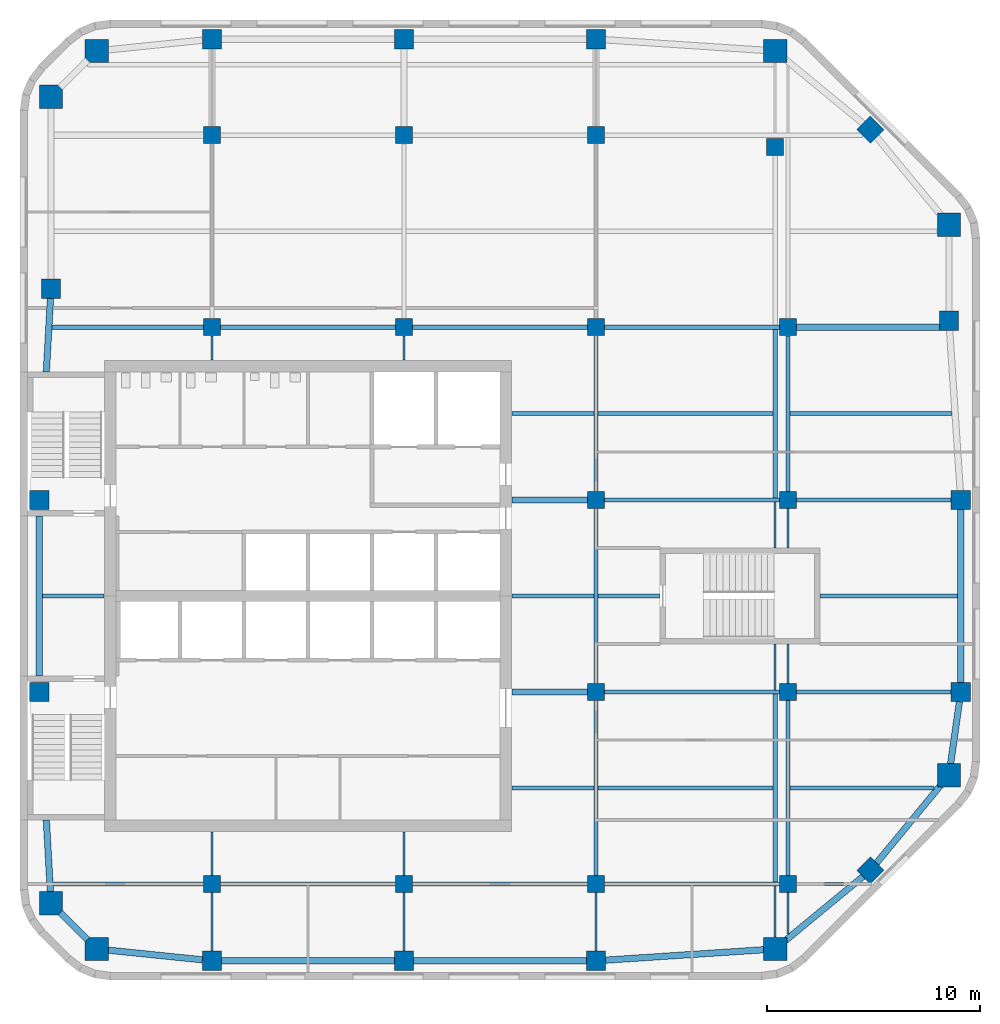
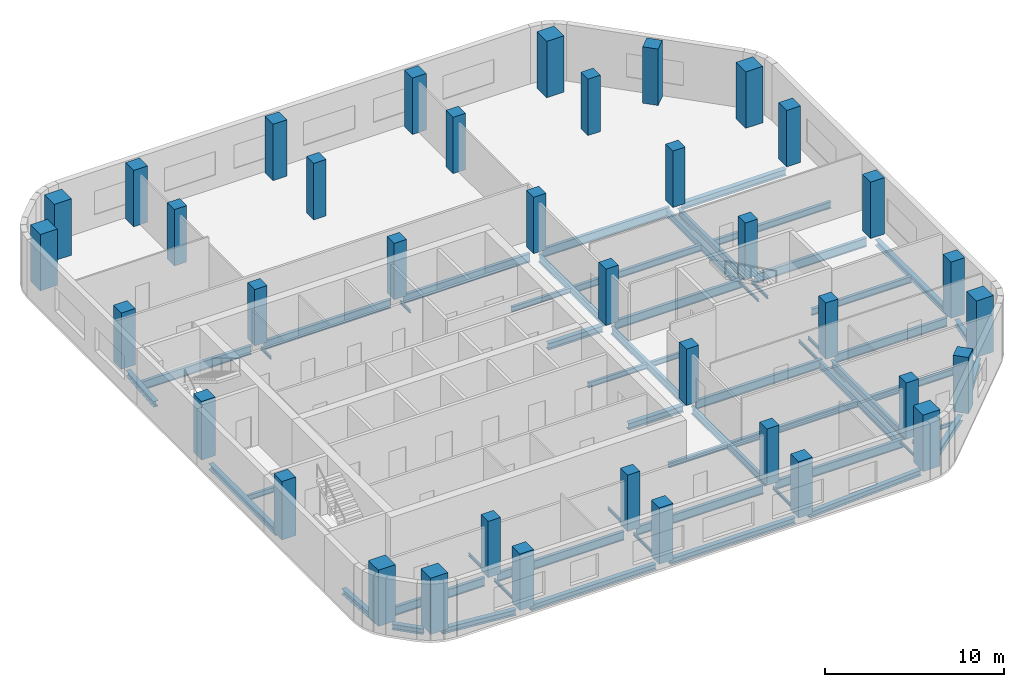
# One storey, part 1 of 7: 58 beams, 38 columns.
"""IFC4 building model written with IfcOpenShell, lengths in metres."""

import ifcopenshell
import ifcopenshell.guid

model = None  # the IFC model being written
_history = None  # IfcOwnerHistory: only IFC2X3 demands one
_inside = {}  # id of a spatial element -> (the spatial element, [elements in it])
_under = {}  # id of a project, library or spatial element -> (it, [spatial elements below it])
_declared = {}  # id of a project -> (the project, [libraries it declares])
_typed = {}  # id of a type object -> (the type object, [elements of that type])
_made_of = {}  # id of a material, layer set ... -> (it, [elements and type objects made of it])


def new_model(schema):
    """Start an empty IFC model of exactly this schema.

    Asked for "IFC4X3", IfcOpenShell would pick the latest addendum, in which some entities
    have other attributes; the version numbers below select the first issue.
    IFC2X3 requires an IfcOwnerHistory on every rooted entity: one is made here for all.
    """
    global model, _history
    if schema == "IFC4X3":
        model = ifcopenshell.file(schema_version=(4, 3, 0, 0))
    else:
        model = ifcopenshell.file(schema=schema)
    _inside.clear()
    _under.clear()
    _declared.clear()
    _typed.clear()
    _made_of.clear()
    _history = None
    if model.schema == "IFC2X3":
        org = make("IfcOrganization", Name="unknown")
        user = make(
            "IfcPersonAndOrganization",
            ThePerson=make("IfcPerson", FamilyName="unknown"),
            TheOrganization=org,
        )
        app = make(
            "IfcApplication",
            ApplicationDeveloper=org,
            Version="unknown",
            ApplicationFullName="unknown",
            ApplicationIdentifier="unknown",
        )
        _history = make(
            "IfcOwnerHistory",
            OwningUser=user,
            OwningApplication=app,
            ChangeAction="ADDED",
            CreationDate=0,
        )
    return model


def make(cls, **values):
    """One entity of the class cls with the attributes given. An attribute that is None is left unset."""
    return model.create_entity(
        cls, **{name: value for name, value in values.items() if value is not None}
    )


def rooted(cls, **values):
    """An entity with a GlobalId (a new one), such as an element, a storey or a relation."""
    return make(cls, GlobalId=ifcopenshell.guid.new(), OwnerHistory=_history, **values)


def si_unit(unit_type, name, prefix=None):
    """IfcSIUnit, for example si_unit("LENGTHUNIT", "METRE", prefix="MILLI")."""
    return make("IfcSIUnit", UnitType=unit_type, Prefix=prefix, Name=name)


def assignment(units):
    """IfcUnitAssignment: the units of a project."""
    return None if units is None else make("IfcUnitAssignment", Units=units)


def point(xyz):
    """IfcCartesianPoint."""
    return None if xyz is None else make("IfcCartesianPoint", Coordinates=xyz)


def direction(xyz):
    """IfcDirection."""
    return None if xyz is None else make("IfcDirection", DirectionRatios=xyz)


def frame(location, z_axis=None, x_axis=None):
    """IfcAxis2Placement3D, a coordinate frame: its origin and axes. An axis left out is left unset."""
    return make(
        "IfcAxis2Placement3D",
        Location=point(location),
        Axis=direction(z_axis),
        RefDirection=direction(x_axis),
    )


def frame_2d(location, x_axis=None):
    """IfcAxis2Placement2D, a coordinate frame in the plane: its origin and x axis."""
    return make(
        "IfcAxis2Placement2D", Location=point(location), RefDirection=direction(x_axis)
    )


def origin():
    """The frame at (0, 0, 0) with its axes left unset."""
    return frame((0.0, 0.0, 0.0))


def origin_2d():
    """The frame at (0, 0) in the plane with its x axis left unset."""
    return frame_2d((0.0, 0.0))


def place(relative_to, where):
    """IfcLocalPlacement: puts the frame where relative to a parent placement (None: the world)."""
    return make(
        "IfcLocalPlacement", PlacementRelTo=relative_to, RelativePlacement=where
    )


def context(
    kind, dimensions, precision=None, world=None, true_north=None, identifier=None
):
    """IfcGeometricRepresentationContext, for example the 3D "Model" context."""
    return make(
        "IfcGeometricRepresentationContext",
        ContextIdentifier=identifier,
        ContextType=kind,
        CoordinateSpaceDimension=dimensions,
        Precision=precision,
        WorldCoordinateSystem=world,
        TrueNorth=true_north,
    )


def subcontext(parent, identifier, kind, view, scale=None):
    """IfcGeometricRepresentationSubContext, for example "Body" below "Model"."""
    return make(
        "IfcGeometricRepresentationSubContext",
        ContextIdentifier=identifier,
        ContextType=kind,
        ParentContext=parent,
        TargetScale=scale,
        TargetView=view,
    )


def project(units=None, contexts=None):
    """IfcProject with its units and contexts."""
    return rooted(
        "IfcProject",
        Name="project",
        RepresentationContexts=contexts,
        UnitsInContext=assignment(units),
    )


def spatial(cls, under=None, at=None, **own):
    """A site, building, storey or space (cls), placed at a placement, below another one or the project."""
    s = rooted(cls, ObjectPlacement=at, **own)
    if under is not None:
        _under.setdefault(under.id(), (under, []))[1].append(s)
    return s


def profile(cls, at=None, kind="AREA", **sizes):
    """A parametric profile (cls). Its sizes go by their IFC names, for example OverallWidth=200.0."""
    return make(cls, ProfileType=kind, Position=at, **sizes)


def rectangle(**sizes):
    """IfcRectangleProfileDef."""
    return profile("IfcRectangleProfileDef", **sizes)


def i_section(**sizes):
    """IfcIShapeProfileDef."""
    return profile("IfcIShapeProfileDef", **sizes)


def extrude(swept, where, along, depth):
    """IfcExtrudedAreaSolid: the profile swept, set in the frame where, extruded along a direction by depth."""
    return make(
        "IfcExtrudedAreaSolid",
        SweptArea=swept,
        Position=where,
        ExtrudedDirection=direction(along),
        Depth=depth,
    )


def shape(context_of_items, identifier, shape_type, items):
    """IfcShapeRepresentation: the items that make up one representation, for example the "Body"."""
    return make(
        "IfcShapeRepresentation",
        ContextOfItems=context_of_items,
        RepresentationIdentifier=identifier,
        RepresentationType=shape_type,
        Items=items,
    )


def material(Name=None, Category=None):
    """IfcMaterial."""
    return make("IfcMaterial", Name=Name, Category=Category)


def material_profile(
    of_material, cross_section, Name=None, Category=None, Priority=None
):
    """IfcMaterialProfile: a cross section and its material."""
    return make(
        "IfcMaterialProfile",
        Name=Name,
        Material=of_material,
        Profile=cross_section,
        Priority=Priority,
        Category=Category,
    )


def profile_set(profiles, Name=None, composite=None):
    """IfcMaterialProfileSet."""
    return make(
        "IfcMaterialProfileSet",
        Name=Name,
        MaterialProfiles=profiles,
        CompositeProfile=composite,
    )


def made_of(thing, what):
    """Note that an element or type object is made of a material, layer set ...; save() writes the relation."""
    if what is not None:
        _made_of.setdefault(what.id(), (what, []))[1].append(thing)
    return thing


def type_object(cls, material=None, **own):
    """A type object (cls), such as IfcWallType, which elements share."""
    return made_of(rooted(cls, **own), material)


def element(
    cls,
    number,
    at=None,
    inside=None,
    cuts=None,
    type_object=None,
    material=None,
    context=None,
    identifier="Body",
    shape_type=None,
    held_by="IfcProductDefinitionShape",
    body=None,
    shapes=None,
    **own,
):
    """One element of the class cls, such as IfcWall. Its Tag is "e" and its number.

    at: its placement. inside: the storey or other place that contains it. cuts: it is an
    opening in that element (IfcRelVoidsElement). A single representation is given by context,
    identifier, shape_type and body (its items); several are given by shapes. held_by: the class
    of the entity that holds the representations. save() writes the other relations.
    """
    e = rooted(cls, Tag="e%d" % number, ObjectPlacement=at, **own)
    if body is not None:
        shapes = [shape(context, identifier, shape_type, body)]
    if shapes is not None:
        e.Representation = make(held_by, Representations=shapes)
    if inside is not None:
        _inside.setdefault(inside.id(), (inside, []))[1].append(e)
    if cuts is not None:
        rooted(
            "IfcRelVoidsElement", RelatingBuildingElement=cuts, RelatedOpeningElement=e
        )
    if type_object is not None:
        _typed.setdefault(type_object.id(), (type_object, []))[1].append(e)
    return made_of(e, material)


def aggregate(whole, parts):
    """IfcRelAggregates: a whole, such as a stair, and the parts it consists of."""
    return rooted("IfcRelAggregates", RelatingObject=whole, RelatedObjects=parts)


def save(model, path):
    """Write the relations noted so far, then the file.

    IfcRelAggregates (storeys below a building ...), IfcRelContainedInSpatialStructure (elements
    in a storey), IfcRelDefinesByType, IfcRelAssociatesMaterial and IfcRelDeclares: one each for
    every whole, place, type object, material and project.
    """
    for whole, parts in _under.values():
        aggregate(whole, parts)
    for where, things in _inside.values():
        rooted(
            "IfcRelContainedInSpatialStructure",
            RelatedElements=things,
            RelatingStructure=where,
        )
    for kind, things in _typed.values():
        rooted("IfcRelDefinesByType", RelatedObjects=things, RelatingType=kind)
    for what, things in _made_of.values():
        rooted("IfcRelAssociatesMaterial", RelatedObjects=things, RelatingMaterial=what)
    for by, libraries in _declared.values():
        rooted("IfcRelDeclares", RelatingContext=by, RelatedDefinitions=libraries)
    model.write(path)


model = new_model("IFC4")

# Units and contexts
model_context = context("Model", 3, precision=1e-05, world=origin(), true_north=direction((0.0, 1.0)))
body_context = subcontext(model_context, "Body", "Model", "MODEL_VIEW")
ifc_project = project(units=[si_unit("LENGTHUNIT", "METRE"), si_unit("AREAUNIT", "SQUARE_METRE"), si_unit("VOLUMEUNIT", "CUBIC_METRE"), si_unit("PLANEANGLEUNIT", "RADIAN"), si_unit("MASSUNIT", "GRAM", prefix="KILO")], contexts=[model_context])

# Site, building, storey
site_placement = place(None, origin())
site = spatial("IfcSite", under=ifc_project, at=site_placement, CompositionType="ELEMENT")
building_placement = place(site_placement, origin())
building = spatial("IfcBuilding", under=site, at=building_placement, Name="Cinnabar Reach Civic Tower", CompositionType="ELEMENT")
storey_placement = place(building_placement, frame((0.0, 0.0, 234.0)))
storey = spatial("IfcBuildingStorey", under=building, at=storey_placement, Name="L56", CompositionType="ELEMENT", Elevation=234.0)

# Columns
ifc_material_1 = material(Name="Concrete C80", Category="concrete")
ifc_material_profile_1 = material_profile(ifc_material_1, rectangle(XDim=1.1, YDim=1.1, at=origin_2d()), Name="RC1100")
ifc_profile_set_1 = profile_set([ifc_material_profile_1], Name="Concrete C80")
column_type_1 = type_object("IfcColumnType", Name="RC1100 column R 240", PredefinedType="COLUMN", material=ifc_profile_set_1)
for number, where, z_axis, x_axis, name in (
    (1, (3.6019, 14.9531, 0.0), (0.0, 0.0, 1.0), (1.0, 0.0, 0.0), "Column T1-Z4-CC0"),
    (2, (35.3981, 14.9531, 0.0), (0.0, 0.0, 1.0), (1.0, 0.0, 0.0), "Column T1-Z4-CC1"),
    (3, (43.5469, 23.1019, 0.0), (0.0, 0.0, 1.0), (1.0, 0.0, 0.0), "Column T1-Z4-CC2"),
    (4, (43.5469, 48.8981, 0.0), (0.0, 0.0, 1.0), (1.0, 0.0, 0.0), "Column T1-Z4-CC3"),
    (5, (35.3981, 57.0469, 0.0), (0.0, 0.0, 1.0), (1.0, 0.0, 0.0), "Column T1-Z4-CC4"),
    (6, (3.6019, 57.0469, 0.0), (0.0, 0.0, 1.0), (1.0, 0.0, 0.0), "Column T1-Z4-CC5"),
    (7, (1.4531, 54.8981, 0.0), (0.0, 0.0, 1.0), (1.0, 0.0, 0.0), "Column T1-Z4-CC6"),
    (8, (1.4531, 17.1019, 0.0), (0.0, 0.0, 1.0), (1.0, 0.0, 0.0), "Column T1-Z4-CC7"),
):
    element("IfcColumn", number, at=place(storey_placement, frame(where, z_axis=z_axis, x_axis=x_axis)), inside=storey, type_object=column_type_1, Name=name, PredefinedType="COLUMN", context=body_context, shape_type="SweptSolid", body=[
        extrude(rectangle(XDim=1.1, YDim=1.1, at=origin_2d()), origin(), (0.0, 0.0, 1.0), 3.85),
    ])
ifc_material_2 = material(Name="Concrete C60", Category="concrete")
ifc_material_profile_2 = material_profile(ifc_material_2, rectangle(XDim=0.8, YDim=0.8, at=origin_2d()), Name="RC800")
ifc_profile_set_2 = profile_set([ifc_material_profile_2], Name="Concrete C60")
column_type_2 = type_object("IfcColumnType", Name="RC800 column R 240", PredefinedType="COLUMN", material=ifc_profile_set_2)
for number, where, z_axis, x_axis, name in (
    (9, (9.0, 18.0, 0.0), (0.0, 0.0, 1.0), (1.0, 0.0, 0.0), "Column T1-Z4-I9_18"),
    (10, (9.0, 44.1, 0.0), (0.0, 0.0, 1.0), (1.0, 0.0, 0.0), "Column T1-Z4-I9_45"),
    (11, (9.0, 53.1, 0.0), (0.0, 0.0, 1.0), (1.0, 0.0, 0.0), "Column T1-Z4-I9_54"),
    (12, (18.0, 18.0, 0.0), (0.0, 0.0, 1.0), (1.0, 0.0, 0.0), "Column T1-Z4-I18_18"),
    (13, (18.0, 44.1, 0.0), (0.0, 0.0, 1.0), (1.0, 0.0, 0.0), "Column T1-Z4-I18_45"),
    (14, (18.0, 53.1, 0.0), (0.0, 0.0, 1.0), (1.0, 0.0, 0.0), "Column T1-Z4-I18_54"),
    (15, (27.0, 18.0, 0.0), (0.0, 0.0, 1.0), (1.0, 0.0, 0.0), "Column T1-Z4-I27_18"),
    (16, (27.0, 27.0, 0.0), (0.0, 0.0, 1.0), (1.0, 0.0, 0.0), "Column T1-Z4-I27_27"),
    (17, (27.0, 36.0, 0.0), (0.0, 0.0, 1.0), (1.0, 0.0, 0.0), "Column T1-Z4-I27_36"),
    (18, (27.0, 44.1, 0.0), (0.0, 0.0, 1.0), (1.0, 0.0, 0.0), "Column T1-Z4-I27_45"),
    (19, (27.0, 53.1, 0.0), (0.0, 0.0, 1.0), (1.0, 0.0, 0.0), "Column T1-Z4-I27_54"),
    (20, (36.0, 18.0, 0.0), (0.0, 0.0, 1.0), (1.0, 0.0, 0.0), "Column T1-Z4-I36_18"),
    (21, (36.0, 27.0, 0.0), (0.0, 0.0, 1.0), (1.0, 0.0, 0.0), "Column T1-Z4-I36_27"),
    (22, (36.0, 36.0, 0.0), (0.0, 0.0, 1.0), (1.0, 0.0, 0.0), "Column T1-Z4-I36_36"),
    (23, (36.0, 44.1, 0.0), (0.0, 0.0, 1.0), (1.0, 0.0, 0.0), "Column T1-Z4-I36_45"),
    (24, (35.3981, 52.5469, 0.0), (0.0, 0.0, 1.0), (1.0, 0.0, 0.0), "Column T1-Z4-I36_54"),
):
    element("IfcColumn", number, at=place(storey_placement, frame(where, z_axis=z_axis, x_axis=x_axis)), inside=storey, type_object=column_type_2, Name=name, PredefinedType="COLUMN", context=body_context, shape_type="SweptSolid", body=[
        extrude(rectangle(XDim=0.8, YDim=0.8, at=origin_2d()), origin(), (0.0, 0.0, 1.0), 3.85),
    ])
ifc_material_3 = material(Name="Concrete C70", Category="concrete")
ifc_material_profile_3 = material_profile(ifc_material_3, rectangle(XDim=0.9, YDim=0.9, at=origin_2d()), Name="RC900")
ifc_profile_set_3 = profile_set([ifc_material_profile_3], Name="Concrete C70")
column_type_3 = type_object("IfcColumnType", Name="RC900 column R 240", PredefinedType="COLUMN", material=ifc_profile_set_3)
for number, where, z_axis, x_axis, name in (
    (25, (9.0, 14.4, 0.0), (0.0, 0.0, 1.0), (1.0, 0.0, 0.0), "Column T1-Z4-F0-1"),
    (26, (18.0, 14.4, 0.0), (0.0, 0.0, 1.0), (1.0, 0.0, 0.0), "Column T1-Z4-F0-2"),
    (27, (27.0, 14.4, 0.0), (0.0, 0.0, 1.0), (1.0, 0.0, 0.0), "Column T1-Z4-F0-3"),
    (28, (39.8636, 18.6364, 0.0), (0.0, 0.0, 1.0), (0.707106781187, 0.707106781187, 0.0), "Column T1-Z4-F1-M"),
    (29, (44.1, 27.0, 0.0), (0.0, 0.0, 1.0), (1.0, 0.0, 0.0), "Column T1-Z4-F2-3"),
    (30, (44.1, 36.0, 0.0), (0.0, 0.0, 1.0), (1.0, 0.0, 0.0), "Column T1-Z4-F2-4"),
    (31, (43.5469, 44.3981, 0.0), (0.0, 0.0, 1.0), (1.0, 0.0, 0.0), "Column T1-Z4-F2-5"),
    (32, (39.8636, 53.3636, 0.0), (0.0, 0.0, 1.0), (0.707106781187, 0.707106781187, 0.0), "Column T1-Z4-F3-M"),
    (33, (9.0, 57.6, 0.0), (0.0, 0.0, 1.0), (1.0, 0.0, 0.0), "Column T1-Z4-F4-1"),
    (34, (18.0, 57.6, 0.0), (0.0, 0.0, 1.0), (1.0, 0.0, 0.0), "Column T1-Z4-F4-2"),
    (35, (27.0, 57.6, 0.0), (0.0, 0.0, 1.0), (1.0, 0.0, 0.0), "Column T1-Z4-F4-3"),
):
    element("IfcColumn", number, at=place(storey_placement, frame(where, z_axis=z_axis, x_axis=x_axis)), inside=storey, type_object=column_type_3, Name=name, PredefinedType="COLUMN", context=body_context, shape_type="SweptSolid", body=[
        extrude(rectangle(XDim=0.9, YDim=0.9, at=origin_2d()), origin(), (0.0, 0.0, 1.0), 3.85),
    ])
for number, where, z_axis, x_axis, name in (
    (36, (0.9, 27.0, 0.0), (0.0, 0.0, 1.0), (1.0, 0.0, 0.0), "Column T1-Z4-F6-3"),
    (37, (0.9, 36.0, 0.0), (0.0, 0.0, 1.0), (1.0, 0.0, 0.0), "Column T1-Z4-F6-4"),
):
    element("IfcColumn", number, at=place(storey_placement, frame(where, z_axis=z_axis, x_axis=x_axis)), inside=storey, type_object=column_type_3, Name=name, PredefinedType="COLUMN", context=body_context, shape_type="SweptSolid", body=[
        extrude(rectangle(XDim=0.9, YDim=0.9, at=origin_2d()), origin(), (0.0, 0.0, 1.0), 4.0),
    ])
column_placement = place(storey_placement, frame((1.4531, 45.8981, 0.0), z_axis=(0.0, 0.0, 1.0), x_axis=(1.0, 0.0, 0.0)))
element("IfcColumn", 38, at=column_placement, inside=storey, type_object=column_type_3, Name="Column T1-Z4-F6-5", PredefinedType="COLUMN", context=body_context, shape_type="SweptSolid", body=[
    extrude(rectangle(XDim=0.9, YDim=0.9, at=origin_2d()), origin(), (0.0, 0.0, 1.0), 3.85),
])

# Beams
ifc_material_4 = material(Name="Steel Q355B", Category="steel")
ifc_material_profile_4 = material_profile(ifc_material_4, i_section(OverallWidth=0.3, OverallDepth=0.39, WebThickness=0.01, FlangeThickness=0.016, FilletRadius=0.013, at=origin_2d()), Name="HM390x300x10x16")
ifc_profile_set_4 = profile_set([ifc_material_profile_4], Name="Steel Q355B")
beam_type_1 = type_object("IfcBeamType", Name="HM390x300x10x16 beam R 180", PredefinedType="BEAM", material=ifc_profile_set_4)
beam_1_placement = place(storey_placement, frame((4.0339, 14.9088, -0.345), z_axis=(0.994792272495, -0.101923179821, 0.0), x_axis=(0.101923179821, 0.994792272495, 0.0)))
element("IfcBeam", 39, at=beam_1_placement, inside=storey, type_object=beam_type_1, Name="Edge beam T1 L56 1", PredefinedType="BEAM", context=body_context, shape_type="SweptSolid", body=[
    extrude(i_section(OverallWidth=0.3, OverallDepth=0.39, WebThickness=0.01, FlangeThickness=0.016, FilletRadius=0.013, at=origin_2d()), origin(), (0.0, 0.0, 1.0), 4.5377),
])
for number, where, z_axis, x_axis, name in (
    (40, (9.452, 14.4, -0.345), (1.0, 0.0, 0.0), (0.0, 1.0, 0.0), "Edge beam T1 L56 2"),
    (41, (18.452, 14.4, -0.345), (1.0, 0.0, 0.0), (0.0, 1.0, 0.0), "Edge beam T1 L56 3"),
):
    element("IfcBeam", number, at=place(storey_placement, frame(where, z_axis=z_axis, x_axis=x_axis)), inside=storey, type_object=beam_type_1, Name=name, PredefinedType="BEAM", context=body_context, shape_type="SweptSolid", body=[
        extrude(i_section(OverallWidth=0.3, OverallDepth=0.39, WebThickness=0.01, FlangeThickness=0.016, FilletRadius=0.013, at=origin_2d()), origin(), (0.0, 0.0, 1.0), 8.096),
    ])
beam_2_placement = place(storey_placement, frame((27.452, 14.4298, -0.345), z_axis=(0.99783894477, 0.065707231721, 0.0), x_axis=(-0.065707231721, 0.99783894477, 0.0)))
element("IfcBeam", 42, at=beam_2_placement, inside=storey, type_object=beam_type_1, Name="Edge beam T1 L56 4", PredefinedType="BEAM", context=body_context, shape_type="SweptSolid", body=[
    extrude(i_section(OverallWidth=0.3, OverallDepth=0.39, WebThickness=0.01, FlangeThickness=0.016, FilletRadius=0.013, at=origin_2d()), origin(), (0.0, 0.0, 1.0), 7.5304),
])
for number, where, z_axis, x_axis, name in (
    (43, (35.8301, 15.3094, -0.345), (0.771434448755, 0.63630880182, 0.0), (-0.63630880182, 0.771434448755, 0.0), "Edge beam T1 L56 5"),
    (44, (40.1142, 18.9402, -0.345), (0.63630880182, 0.771434448755, 0.0), (-0.771434448755, 0.63630880182, 0.0), "Edge beam T1 L56 6"),
):
    element("IfcBeam", number, at=place(storey_placement, frame(where, z_axis=z_axis, x_axis=x_axis)), inside=storey, type_object=beam_type_1, Name=name, PredefinedType="BEAM", context=body_context, shape_type="SweptSolid", body=[
        extrude(i_section(OverallWidth=0.3, OverallDepth=0.39, WebThickness=0.01, FlangeThickness=0.016, FilletRadius=0.013, at=origin_2d()), origin(), (0.0, 0.0, 1.0), 4.8348),
    ])
beam_3_placement = place(storey_placement, frame((43.6082, 23.5339, -0.345), z_axis=(0.140492342965, 0.990081765092, 0.0), x_axis=(-0.990081765092, 0.140492342965, 0.0)))
element("IfcBeam", 45, at=beam_3_placement, inside=storey, type_object=beam_type_1, Name="Edge beam T1 L56 7", PredefinedType="BEAM", context=body_context, shape_type="SweptSolid", body=[
    extrude(i_section(OverallWidth=0.3, OverallDepth=0.39, WebThickness=0.01, FlangeThickness=0.016, FilletRadius=0.013, at=origin_2d()), origin(), (0.0, 0.0, 1.0), 3.0443),
])
beam_4_placement = place(storey_placement, frame((44.1, 27.452, -0.345), z_axis=(0.0, 1.0, 0.0), x_axis=(-1.0, 0.0, 0.0)))
element("IfcBeam", 46, at=beam_4_placement, inside=storey, type_object=beam_type_1, Name="Edge beam T1 L56 8", PredefinedType="BEAM", context=body_context, shape_type="SweptSolid", body=[
    extrude(i_section(OverallWidth=0.3, OverallDepth=0.39, WebThickness=0.01, FlangeThickness=0.016, FilletRadius=0.013, at=origin_2d()), origin(), (0.0, 0.0, 1.0), 8.096),
])
beam_5_placement = place(storey_placement, frame((1.4278, 45.4461, -0.345), z_axis=(-0.0557766862, -0.998443268932, 0.0), x_axis=(0.998443268932, -0.0557766862, 0.0)))
element("IfcBeam", 47, at=beam_5_placement, inside=storey, type_object=beam_type_1, Name="Edge beam T1 L56 19", PredefinedType="BEAM", context=body_context, shape_type="SweptSolid", body=[
    extrude(i_section(OverallWidth=0.3, OverallDepth=0.39, WebThickness=0.01, FlangeThickness=0.016, FilletRadius=0.013, at=origin_2d()), origin(), (0.0, 0.0, 1.0), 3.4495),
])
beam_6_placement = place(storey_placement, frame((0.9, 35.248, -0.345), z_axis=(0.0, -1.0, 0.0), x_axis=(1.0, 0.0, 0.0)))
element("IfcBeam", 48, at=beam_6_placement, inside=storey, type_object=beam_type_1, Name="Edge beam T1 L56 20", PredefinedType="BEAM", context=body_context, shape_type="SweptSolid", body=[
    extrude(i_section(OverallWidth=0.3, OverallDepth=0.39, WebThickness=0.01, FlangeThickness=0.016, FilletRadius=0.013, at=origin_2d()), origin(), (0.0, 0.0, 1.0), 7.496),
])
beam_7_placement = place(storey_placement, frame((1.2354, 20.998, -0.345), z_axis=(0.05580045603, -0.998441940779, 0.0), x_axis=(0.998441940779, 0.05580045603, 0.0)))
element("IfcBeam", 49, at=beam_7_placement, inside=storey, type_object=beam_type_1, Name="Edge beam T1 L56 21", PredefinedType="BEAM", context=body_context, shape_type="SweptSolid", body=[
    extrude(i_section(OverallWidth=0.3, OverallDepth=0.39, WebThickness=0.01, FlangeThickness=0.016, FilletRadius=0.013, at=origin_2d()), origin(), (0.0, 0.0, 1.0), 3.4695),
])
beam_8_placement = place(storey_placement, frame((1.8851, 16.6699, -0.345), z_axis=(0.707106781187, -0.707106781187, 0.0), x_axis=(0.707106781187, 0.707106781187, 0.0)))
element("IfcBeam", 50, at=beam_8_placement, inside=storey, type_object=beam_type_1, Name="Edge beam T1 L56 22", PredefinedType="BEAM", context=body_context, shape_type="SweptSolid", body=[
    extrude(i_section(OverallWidth=0.3, OverallDepth=0.39, WebThickness=0.01, FlangeThickness=0.016, FilletRadius=0.013, at=origin_2d()), origin(), (0.0, 0.0, 1.0), 1.817),
])
ifc_material_profile_5 = material_profile(ifc_material_4, i_section(OverallWidth=0.3, OverallDepth=0.44, WebThickness=0.011, FlangeThickness=0.018, FilletRadius=0.016, at=origin_2d()), Name="HM440x300x11x18")
ifc_profile_set_5 = profile_set([ifc_material_profile_5], Name="Steel Q355B")
beam_type_2 = type_object("IfcBeamType", Name="HM440x300x11x18 beam R 180", PredefinedType="BEAM", material=ifc_profile_set_5)
for number, where, z_axis, x_axis, name in (
    (51, (23.052, 27.0, -0.37), (1.0, 0.0, 0.0), (0.0, 1.0, 0.0), "Girder T1 L56 6"),
    (52, (23.052, 36.0, -0.37), (1.0, 0.0, 0.0), (0.0, 1.0, 0.0), "Girder T1 L56 9"),
):
    element("IfcBeam", number, at=place(storey_placement, frame(where, z_axis=z_axis, x_axis=x_axis)), inside=storey, type_object=beam_type_2, Name=name, PredefinedType="BEAM", context=body_context, shape_type="SweptSolid", body=[
        extrude(i_section(OverallWidth=0.3, OverallDepth=0.44, WebThickness=0.011, FlangeThickness=0.018, FilletRadius=0.016, at=origin_2d()), origin(), (0.0, 0.0, 1.0), 3.546),
    ])
beam_9_placement = place(storey_placement, frame((36.402, 44.1, -0.37), z_axis=(1.0, 0.0, 0.0), x_axis=(0.0, 1.0, 0.0)))
element("IfcBeam", 53, at=beam_9_placement, inside=storey, type_object=beam_type_2, Name="Girder T1 L56 16", PredefinedType="BEAM", context=body_context, shape_type="SweptSolid", body=[
    extrude(i_section(OverallWidth=0.3, OverallDepth=0.44, WebThickness=0.011, FlangeThickness=0.018, FilletRadius=0.016, at=origin_2d()), origin(), (0.0, 0.0, 1.0), 6.6929),
])
ifc_material_profile_6 = material_profile(ifc_material_4, i_section(OverallWidth=0.099, OverallDepth=0.198, WebThickness=0.0045, FlangeThickness=0.007, FilletRadius=0.013, at=origin_2d()), Name="HN200x100x5.5x8")
ifc_profile_set_6 = profile_set([ifc_material_profile_6], Name="Steel Q355B")
beam_type_3 = type_object("IfcBeamType", Name="HN200x100x5.5x8 beam R 180", PredefinedType="BEAM", material=ifc_profile_set_6)
beam_10_placement = place(storey_placement, frame((9.0, 14.852, -0.249), z_axis=(0.0, 1.0, 0.0), x_axis=(-1.0, 0.0, 0.0)))
element("IfcBeam", 54, at=beam_10_placement, inside=storey, type_object=beam_type_3, Name="Girder T1 L56 1", PredefinedType="BEAM", context=body_context, shape_type="SweptSolid", body=[
    extrude(i_section(OverallWidth=0.099, OverallDepth=0.198, WebThickness=0.0045, FlangeThickness=0.007, FilletRadius=0.013, at=origin_2d()), origin(), (0.0, 0.0, 1.0), 2.746),
])
beam_11_placement = place(storey_placement, frame((9.0, 18.402, -0.249), z_axis=(0.0, 1.0, 0.0), x_axis=(-1.0, 0.0, 0.0)))
element("IfcBeam", 55, at=beam_11_placement, inside=storey, type_object=beam_type_3, Name="Girder T1 L56 2", PredefinedType="BEAM", context=body_context, shape_type="SweptSolid", body=[
    extrude(i_section(OverallWidth=0.099, OverallDepth=0.198, WebThickness=0.0045, FlangeThickness=0.007, FilletRadius=0.013, at=origin_2d()), origin(), (0.0, 0.0, 1.0), 2.046),
])
beam_12_placement = place(storey_placement, frame((9.0, 42.552, -0.249), z_axis=(0.0, 1.0, 0.0), x_axis=(-1.0, 0.0, 0.0)))
element("IfcBeam", 56, at=beam_12_placement, inside=storey, type_object=beam_type_3, Name="Girder T1 L56 3", PredefinedType="BEAM", context=body_context, shape_type="SweptSolid", body=[
    extrude(i_section(OverallWidth=0.099, OverallDepth=0.198, WebThickness=0.0045, FlangeThickness=0.007, FilletRadius=0.013, at=origin_2d()), origin(), (0.0, 0.0, 1.0), 1.146),
])
beam_13_placement = place(storey_placement, frame((18.0, 14.852, -0.249), z_axis=(0.0, 1.0, 0.0), x_axis=(-1.0, 0.0, 0.0)))
element("IfcBeam", 57, at=beam_13_placement, inside=storey, type_object=beam_type_3, Name="Girder T1 L56 6", PredefinedType="BEAM", context=body_context, shape_type="SweptSolid", body=[
    extrude(i_section(OverallWidth=0.099, OverallDepth=0.198, WebThickness=0.0045, FlangeThickness=0.007, FilletRadius=0.013, at=origin_2d()), origin(), (0.0, 0.0, 1.0), 2.746),
])
beam_14_placement = place(storey_placement, frame((18.0, 18.402, -0.249), z_axis=(0.0, 1.0, 0.0), x_axis=(-1.0, 0.0, 0.0)))
element("IfcBeam", 58, at=beam_14_placement, inside=storey, type_object=beam_type_3, Name="Girder T1 L56 7", PredefinedType="BEAM", context=body_context, shape_type="SweptSolid", body=[
    extrude(i_section(OverallWidth=0.099, OverallDepth=0.198, WebThickness=0.0045, FlangeThickness=0.007, FilletRadius=0.013, at=origin_2d()), origin(), (0.0, 0.0, 1.0), 2.046),
])
beam_15_placement = place(storey_placement, frame((18.0, 42.552, -0.249), z_axis=(0.0, 1.0, 0.0), x_axis=(-1.0, 0.0, 0.0)))
element("IfcBeam", 59, at=beam_15_placement, inside=storey, type_object=beam_type_3, Name="Girder T1 L56 8", PredefinedType="BEAM", context=body_context, shape_type="SweptSolid", body=[
    extrude(i_section(OverallWidth=0.099, OverallDepth=0.198, WebThickness=0.0045, FlangeThickness=0.007, FilletRadius=0.013, at=origin_2d()), origin(), (0.0, 0.0, 1.0), 1.146),
])
beam_16_placement = place(storey_placement, frame((27.0, 14.852, -0.249), z_axis=(0.0, 1.0, 0.0), x_axis=(-1.0, 0.0, 0.0)))
element("IfcBeam", 60, at=beam_16_placement, inside=storey, type_object=beam_type_3, Name="Girder T1 L56 11", PredefinedType="BEAM", context=body_context, shape_type="SweptSolid", body=[
    extrude(i_section(OverallWidth=0.099, OverallDepth=0.198, WebThickness=0.0045, FlangeThickness=0.007, FilletRadius=0.013, at=origin_2d()), origin(), (0.0, 0.0, 1.0), 2.746),
])
beam_17_placement = place(storey_placement, frame((35.3981, 15.5051, -0.249), z_axis=(0.0, 1.0, 0.0), x_axis=(-1.0, 0.0, 0.0)))
element("IfcBeam", 61, at=beam_17_placement, inside=storey, type_object=beam_type_3, Name="Girder T1 L56 17", PredefinedType="BEAM", context=body_context, shape_type="SweptSolid", body=[
    extrude(i_section(OverallWidth=0.099, OverallDepth=0.198, WebThickness=0.0045, FlangeThickness=0.007, FilletRadius=0.013, at=origin_2d()), origin(), (0.0, 0.0, 1.0), 2.3934),
])
for number, where, z_axis, x_axis, name in (
    (62, (35.3981, 27.1015, -0.249), (0.0, 1.0, 0.0), (-1.0, 0.0, 0.0), "Girder T1 L56 19"),
    (63, (35.3981, 33.752, -0.249), (0.0, 1.0, 0.0), (-1.0, 0.0, 0.0), "Girder T1 L56 20"),
):
    element("IfcBeam", number, at=place(storey_placement, frame(where, z_axis=z_axis, x_axis=x_axis)), inside=storey, type_object=beam_type_3, Name=name, PredefinedType="BEAM", context=body_context, shape_type="SweptSolid", body=[
        extrude(i_section(OverallWidth=0.099, OverallDepth=0.198, WebThickness=0.0045, FlangeThickness=0.007, FilletRadius=0.013, at=origin_2d()), origin(), (0.0, 0.0, 1.0), 2.1465),
    ])
beam_18_placement = place(storey_placement, frame((36.0, 15.6466, -0.249), z_axis=(0.0, 1.0, 0.0), x_axis=(-1.0, 0.0, 0.0)))
element("IfcBeam", 64, at=beam_18_placement, inside=storey, type_object=beam_type_3, Name="Girder T1 L56 24", PredefinedType="BEAM", context=body_context, shape_type="SweptSolid", body=[
    extrude(i_section(OverallWidth=0.099, OverallDepth=0.198, WebThickness=0.0045, FlangeThickness=0.007, FilletRadius=0.013, at=origin_2d()), origin(), (0.0, 0.0, 1.0), 1.9514),
])
for number, where, z_axis, x_axis, name in (
    (65, (36.0, 27.402, -0.249), (0.0, 1.0, 0.0), (-1.0, 0.0, 0.0), "Girder T1 L56 26"),
    (66, (36.0, 33.752, -0.249), (0.0, 1.0, 0.0), (-1.0, 0.0, 0.0), "Girder T1 L56 27"),
):
    element("IfcBeam", number, at=place(storey_placement, frame(where, z_axis=z_axis, x_axis=x_axis)), inside=storey, type_object=beam_type_3, Name=name, PredefinedType="BEAM", context=body_context, shape_type="SweptSolid", body=[
        extrude(i_section(OverallWidth=0.099, OverallDepth=0.198, WebThickness=0.0045, FlangeThickness=0.007, FilletRadius=0.013, at=origin_2d()), origin(), (0.0, 0.0, 1.0), 1.846),
    ])
ifc_material_profile_7 = material_profile(ifc_material_4, i_section(OverallWidth=0.124, OverallDepth=0.248, WebThickness=0.005, FlangeThickness=0.008, FilletRadius=0.013, at=origin_2d()), Name="HN250x125x6x9")
ifc_profile_set_7 = profile_set([ifc_material_profile_7], Name="Steel Q355B")
beam_type_4 = type_object("IfcBeamType", Name="HN250x125x6x9 beam R 180", PredefinedType="BEAM", material=ifc_profile_set_7)
beam_19_placement = place(storey_placement, frame((36.402, 18.0, -0.274), z_axis=(1.0, 0.0, 0.0), x_axis=(0.0, 1.0, 0.0)))
element("IfcBeam", 67, at=beam_19_placement, inside=storey, type_object=beam_type_4, Name="Girder T1 L56 5", PredefinedType="BEAM", context=body_context, shape_type="SweptSolid", body=[
    extrude(i_section(OverallWidth=0.124, OverallDepth=0.248, WebThickness=0.005, FlangeThickness=0.008, FilletRadius=0.013, at=origin_2d()), origin(), (0.0, 0.0, 1.0), 2.4512),
])
ifc_material_profile_8 = material_profile(ifc_material_4, i_section(OverallWidth=0.174, OverallDepth=0.346, WebThickness=0.006, FlangeThickness=0.009, FilletRadius=0.013, at=origin_2d()), Name="HN346x174x6x9")
ifc_profile_set_8 = profile_set([ifc_material_profile_8], Name="Steel Q355B")
beam_type_5 = type_object("IfcBeamType", Name="HN346x174x6x9 beam R 180", PredefinedType="BEAM", material=ifc_profile_set_8)
beam_20_placement = place(storey_placement, frame((23.052, 22.5, -0.323), z_axis=(1.0, 0.0, 0.0), x_axis=(0.0, 1.0, 0.0)))
element("IfcBeam", 68, at=beam_20_placement, inside=storey, type_object=beam_type_5, Name="Secondary beam T1 L56 1", PredefinedType="BEAM", context=body_context, shape_type="SweptSolid", body=[
    extrude(i_section(OverallWidth=0.174, OverallDepth=0.346, WebThickness=0.006, FlangeThickness=0.009, FilletRadius=0.013, at=origin_2d()), origin(), (0.0, 0.0, 1.0), 3.846),
])
beam_21_placement = place(storey_placement, frame((1.052, 31.5, -0.323), z_axis=(1.0, 0.0, 0.0), x_axis=(0.0, 1.0, 0.0)))
element("IfcBeam", 69, at=beam_21_placement, inside=storey, type_object=beam_type_5, Name="Secondary beam T1 L56 4", PredefinedType="BEAM", context=body_context, shape_type="SweptSolid", body=[
    extrude(i_section(OverallWidth=0.174, OverallDepth=0.346, WebThickness=0.006, FlangeThickness=0.009, FilletRadius=0.013, at=origin_2d()), origin(), (0.0, 0.0, 1.0), 2.896),
])
beam_22_placement = place(storey_placement, frame((23.052, 31.5, -0.323), z_axis=(1.0, 0.0, 0.0), x_axis=(0.0, 1.0, 0.0)))
element("IfcBeam", 70, at=beam_22_placement, inside=storey, type_object=beam_type_5, Name="Secondary beam T1 L56 5", PredefinedType="BEAM", context=body_context, shape_type="SweptSolid", body=[
    extrude(i_section(OverallWidth=0.174, OverallDepth=0.346, WebThickness=0.006, FlangeThickness=0.009, FilletRadius=0.013, at=origin_2d()), origin(), (0.0, 0.0, 1.0), 3.846),
])
beam_23_placement = place(storey_placement, frame((27.102, 31.5, -0.323), z_axis=(1.0, 0.0, 0.0), x_axis=(0.0, 1.0, 0.0)))
element("IfcBeam", 71, at=beam_23_placement, inside=storey, type_object=beam_type_5, Name="Secondary beam T1 L56 6", PredefinedType="BEAM", context=body_context, shape_type="SweptSolid", body=[
    extrude(i_section(OverallWidth=0.174, OverallDepth=0.346, WebThickness=0.006, FlangeThickness=0.009, FilletRadius=0.013, at=origin_2d()), origin(), (0.0, 0.0, 1.0), 2.896),
])
beam_24_placement = place(storey_placement, frame((23.052, 40.05, -0.323), z_axis=(1.0, 0.0, 0.0), x_axis=(0.0, 1.0, 0.0)))
element("IfcBeam", 72, at=beam_24_placement, inside=storey, type_object=beam_type_5, Name="Secondary beam T1 L56 8", PredefinedType="BEAM", context=body_context, shape_type="SweptSolid", body=[
    extrude(i_section(OverallWidth=0.174, OverallDepth=0.346, WebThickness=0.006, FlangeThickness=0.009, FilletRadius=0.013, at=origin_2d()), origin(), (0.0, 0.0, 1.0), 3.846),
])
ifc_material_profile_9 = material_profile(ifc_material_4, i_section(OverallWidth=0.199, OverallDepth=0.446, WebThickness=0.008, FlangeThickness=0.012, FilletRadius=0.016, at=origin_2d()), Name="HN446x199x8x12")
ifc_profile_set_9 = profile_set([ifc_material_profile_9], Name="Steel Q355B")
beam_type_6 = type_object("IfcBeamType", Name="HN446x199x8x12 beam R 180", PredefinedType="BEAM", material=ifc_profile_set_9)
beam_25_placement = place(storey_placement, frame((27.102, 22.5, -0.373), z_axis=(1.0, 0.0, 0.0), x_axis=(0.0, 1.0, 0.0)))
element("IfcBeam", 73, at=beam_25_placement, inside=storey, type_object=beam_type_6, Name="Secondary beam T1 L56 2", PredefinedType="BEAM", context=body_context, shape_type="SweptSolid", body=[
    extrude(i_section(OverallWidth=0.199, OverallDepth=0.446, WebThickness=0.008, FlangeThickness=0.012, FilletRadius=0.016, at=origin_2d()), origin(), (0.0, 0.0, 1.0), 8.1941),
])
beam_26_placement = place(storey_placement, frame((36.102, 22.5, -0.373), z_axis=(1.0, 0.0, 0.0), x_axis=(0.0, 1.0, 0.0)))
element("IfcBeam", 74, at=beam_26_placement, inside=storey, type_object=beam_type_6, Name="Secondary beam T1 L56 3", PredefinedType="BEAM", context=body_context, shape_type="SweptSolid", body=[
    extrude(i_section(OverallWidth=0.199, OverallDepth=0.446, WebThickness=0.008, FlangeThickness=0.012, FilletRadius=0.016, at=origin_2d()), origin(), (0.0, 0.0, 1.0), 6.7514),
])
beam_27_placement = place(storey_placement, frame((37.502, 31.5, -0.373), z_axis=(1.0, 0.0, 0.0), x_axis=(0.0, 1.0, 0.0)))
element("IfcBeam", 75, at=beam_27_placement, inside=storey, type_object=beam_type_6, Name="Secondary beam T1 L56 7", PredefinedType="BEAM", context=body_context, shape_type="SweptSolid", body=[
    extrude(i_section(OverallWidth=0.199, OverallDepth=0.446, WebThickness=0.008, FlangeThickness=0.012, FilletRadius=0.016, at=origin_2d()), origin(), (0.0, 0.0, 1.0), 6.446),
])
beam_28_placement = place(storey_placement, frame((27.102, 40.05, -0.373), z_axis=(1.0, 0.0, 0.0), x_axis=(0.0, 1.0, 0.0)))
element("IfcBeam", 76, at=beam_28_placement, inside=storey, type_object=beam_type_6, Name="Secondary beam T1 L56 9", PredefinedType="BEAM", context=body_context, shape_type="SweptSolid", body=[
    extrude(i_section(OverallWidth=0.199, OverallDepth=0.446, WebThickness=0.008, FlangeThickness=0.012, FilletRadius=0.016, at=origin_2d()), origin(), (0.0, 0.0, 1.0), 8.1941),
])
beam_29_placement = place(storey_placement, frame((36.102, 40.05, -0.373), z_axis=(1.0, 0.0, 0.0), x_axis=(0.0, 1.0, 0.0)))
element("IfcBeam", 77, at=beam_29_placement, inside=storey, type_object=beam_type_6, Name="Secondary beam T1 L56 10", PredefinedType="BEAM", context=body_context, shape_type="SweptSolid", body=[
    extrude(i_section(OverallWidth=0.199, OverallDepth=0.446, WebThickness=0.008, FlangeThickness=0.012, FilletRadius=0.016, at=origin_2d()), origin(), (0.0, 0.0, 1.0), 7.5789),
])
ifc_material_profile_10 = material_profile(ifc_material_4, i_section(OverallWidth=0.2, OverallDepth=0.5, WebThickness=0.01, FlangeThickness=0.016, FilletRadius=0.016, at=origin_2d()), Name="HN500x200x10x16")
ifc_profile_set_10 = profile_set([ifc_material_profile_10], Name="Steel Q355B")
beam_type_7 = type_object("IfcBeamType", Name="HN500x200x10x16 beam R 180", PredefinedType="BEAM", material=ifc_profile_set_10)
for number, where, z_axis, x_axis, name in (
    (78, (27.0, 18.402, -0.4), (0.0, 1.0, 0.0), (-1.0, 0.0, 0.0), "Girder T1 L56 12"),
    (79, (27.0, 27.402, -0.4), (0.0, 1.0, 0.0), (-1.0, 0.0, 0.0), "Girder T1 L56 13"),
):
    element("IfcBeam", number, at=place(storey_placement, frame(where, z_axis=z_axis, x_axis=x_axis)), inside=storey, type_object=beam_type_7, Name=name, PredefinedType="BEAM", context=body_context, shape_type="SweptSolid", body=[
        extrude(i_section(OverallWidth=0.2, OverallDepth=0.5, WebThickness=0.01, FlangeThickness=0.016, FilletRadius=0.016, at=origin_2d()), origin(), (0.0, 0.0, 1.0), 8.196),
    ])
beam_30_placement = place(storey_placement, frame((27.0, 36.402, -0.4), z_axis=(0.0, 1.0, 0.0), x_axis=(-1.0, 0.0, 0.0)))
element("IfcBeam", 80, at=beam_30_placement, inside=storey, type_object=beam_type_7, Name="Girder T1 L56 14", PredefinedType="BEAM", context=body_context, shape_type="SweptSolid", body=[
    extrude(i_section(OverallWidth=0.2, OverallDepth=0.5, WebThickness=0.01, FlangeThickness=0.016, FilletRadius=0.016, at=origin_2d()), origin(), (0.0, 0.0, 1.0), 7.296),
])
beam_31_placement = place(storey_placement, frame((35.3981, 18.1015, -0.4), z_axis=(0.0, 1.0, 0.0), x_axis=(-1.0, 0.0, 0.0)))
element("IfcBeam", 81, at=beam_31_placement, inside=storey, type_object=beam_type_7, Name="Girder T1 L56 18", PredefinedType="BEAM", context=body_context, shape_type="SweptSolid", body=[
    extrude(i_section(OverallWidth=0.2, OverallDepth=0.5, WebThickness=0.01, FlangeThickness=0.016, FilletRadius=0.016, at=origin_2d()), origin(), (0.0, 0.0, 1.0), 8.797),
])
beam_32_placement = place(storey_placement, frame((35.3981, 36.1015, -0.4), z_axis=(0.0, 1.0, 0.0), x_axis=(-1.0, 0.0, 0.0)))
element("IfcBeam", 82, at=beam_32_placement, inside=storey, type_object=beam_type_7, Name="Girder T1 L56 21", PredefinedType="BEAM", context=body_context, shape_type="SweptSolid", body=[
    extrude(i_section(OverallWidth=0.2, OverallDepth=0.5, WebThickness=0.01, FlangeThickness=0.016, FilletRadius=0.016, at=origin_2d()), origin(), (0.0, 0.0, 1.0), 7.897),
])
beam_33_placement = place(storey_placement, frame((36.0, 18.402, -0.4), z_axis=(0.0, 1.0, 0.0), x_axis=(-1.0, 0.0, 0.0)))
element("IfcBeam", 83, at=beam_33_placement, inside=storey, type_object=beam_type_7, Name="Girder T1 L56 25", PredefinedType="BEAM", context=body_context, shape_type="SweptSolid", body=[
    extrude(i_section(OverallWidth=0.2, OverallDepth=0.5, WebThickness=0.01, FlangeThickness=0.016, FilletRadius=0.016, at=origin_2d()), origin(), (0.0, 0.0, 1.0), 8.196),
])
beam_34_placement = place(storey_placement, frame((36.0, 36.402, -0.4), z_axis=(0.0, 1.0, 0.0), x_axis=(-1.0, 0.0, 0.0)))
element("IfcBeam", 84, at=beam_34_placement, inside=storey, type_object=beam_type_7, Name="Girder T1 L56 28", PredefinedType="BEAM", context=body_context, shape_type="SweptSolid", body=[
    extrude(i_section(OverallWidth=0.2, OverallDepth=0.5, WebThickness=0.01, FlangeThickness=0.016, FilletRadius=0.016, at=origin_2d()), origin(), (0.0, 0.0, 1.0), 7.296),
])
ifc_material_profile_11 = material_profile(ifc_material_4, i_section(OverallWidth=0.199, OverallDepth=0.596, WebThickness=0.01, FlangeThickness=0.015, FilletRadius=0.016, at=origin_2d()), Name="HN596x199x10x15")
ifc_profile_set_11 = profile_set([ifc_material_profile_11], Name="Steel Q355B")
beam_type_8 = type_object("IfcBeamType", Name="HN596x199x10x15 beam R 180", PredefinedType="BEAM", material=ifc_profile_set_11)
beam_35_placement = place(storey_placement, frame((1.5552, 18.0, -0.448), z_axis=(1.0, 0.0, 0.0), x_axis=(0.0, 1.0, 0.0)))
element("IfcBeam", 85, at=beam_35_placement, inside=storey, type_object=beam_type_8, Name="Girder T1 L56 1", PredefinedType="BEAM", context=body_context, shape_type="SweptSolid", body=[
    extrude(i_section(OverallWidth=0.199, OverallDepth=0.596, WebThickness=0.01, FlangeThickness=0.015, FilletRadius=0.016, at=origin_2d()), origin(), (0.0, 0.0, 1.0), 7.0428),
])
for number, where, z_axis, x_axis, name in (
    (86, (9.402, 18.0, -0.448), (1.0, 0.0, 0.0), (0.0, 1.0, 0.0), "Girder T1 L56 2"),
    (87, (18.402, 18.0, -0.448), (1.0, 0.0, 0.0), (0.0, 1.0, 0.0), "Girder T1 L56 3"),
    (88, (27.402, 18.0, -0.448), (1.0, 0.0, 0.0), (0.0, 1.0, 0.0), "Girder T1 L56 4"),
    (89, (27.402, 27.0, -0.448), (1.0, 0.0, 0.0), (0.0, 1.0, 0.0), "Girder T1 L56 7"),
):
    element("IfcBeam", number, at=place(storey_placement, frame(where, z_axis=z_axis, x_axis=x_axis)), inside=storey, type_object=beam_type_8, Name=name, PredefinedType="BEAM", context=body_context, shape_type="SweptSolid", body=[
        extrude(i_section(OverallWidth=0.199, OverallDepth=0.596, WebThickness=0.01, FlangeThickness=0.015, FilletRadius=0.016, at=origin_2d()), origin(), (0.0, 0.0, 1.0), 8.196),
    ])
beam_36_placement = place(storey_placement, frame((36.402, 27.0, -0.448), z_axis=(1.0, 0.0, 0.0), x_axis=(0.0, 1.0, 0.0)))
element("IfcBeam", 90, at=beam_36_placement, inside=storey, type_object=beam_type_8, Name="Girder T1 L56 8", PredefinedType="BEAM", context=body_context, shape_type="SweptSolid", body=[
    extrude(i_section(OverallWidth=0.199, OverallDepth=0.596, WebThickness=0.01, FlangeThickness=0.015, FilletRadius=0.016, at=origin_2d()), origin(), (0.0, 0.0, 1.0), 7.246),
])
beam_37_placement = place(storey_placement, frame((27.402, 36.0, -0.448), z_axis=(1.0, 0.0, 0.0), x_axis=(0.0, 1.0, 0.0)))
element("IfcBeam", 91, at=beam_37_placement, inside=storey, type_object=beam_type_8, Name="Girder T1 L56 10", PredefinedType="BEAM", context=body_context, shape_type="SweptSolid", body=[
    extrude(i_section(OverallWidth=0.199, OverallDepth=0.596, WebThickness=0.01, FlangeThickness=0.015, FilletRadius=0.016, at=origin_2d()), origin(), (0.0, 0.0, 1.0), 8.196),
])
beam_38_placement = place(storey_placement, frame((36.402, 36.0, -0.448), z_axis=(1.0, 0.0, 0.0), x_axis=(0.0, 1.0, 0.0)))
element("IfcBeam", 92, at=beam_38_placement, inside=storey, type_object=beam_type_8, Name="Girder T1 L56 11", PredefinedType="BEAM", context=body_context, shape_type="SweptSolid", body=[
    extrude(i_section(OverallWidth=0.199, OverallDepth=0.596, WebThickness=0.01, FlangeThickness=0.015, FilletRadius=0.016, at=origin_2d()), origin(), (0.0, 0.0, 1.0), 7.246),
])
beam_39_placement = place(storey_placement, frame((1.5049, 44.1, -0.448), z_axis=(1.0, 0.0, 0.0), x_axis=(0.0, 1.0, 0.0)))
element("IfcBeam", 93, at=beam_39_placement, inside=storey, type_object=beam_type_8, Name="Girder T1 L56 12", PredefinedType="BEAM", context=body_context, shape_type="SweptSolid", body=[
    extrude(i_section(OverallWidth=0.199, OverallDepth=0.596, WebThickness=0.01, FlangeThickness=0.015, FilletRadius=0.016, at=origin_2d()), origin(), (0.0, 0.0, 1.0), 7.0931),
])
for number, where, z_axis, x_axis, name in (
    (94, (9.402, 44.1, -0.448), (1.0, 0.0, 0.0), (0.0, 1.0, 0.0), "Girder T1 L56 13"),
    (95, (18.402, 44.1, -0.448), (1.0, 0.0, 0.0), (0.0, 1.0, 0.0), "Girder T1 L56 14"),
    (96, (27.402, 44.1, -0.448), (1.0, 0.0, 0.0), (0.0, 1.0, 0.0), "Girder T1 L56 15"),
):
    element("IfcBeam", number, at=place(storey_placement, frame(where, z_axis=z_axis, x_axis=x_axis)), inside=storey, type_object=beam_type_8, Name=name, PredefinedType="BEAM", context=body_context, shape_type="SweptSolid", body=[
        extrude(i_section(OverallWidth=0.199, OverallDepth=0.596, WebThickness=0.01, FlangeThickness=0.015, FilletRadius=0.016, at=origin_2d()), origin(), (0.0, 0.0, 1.0), 8.196),
    ])

save(model, "model.ifc")
